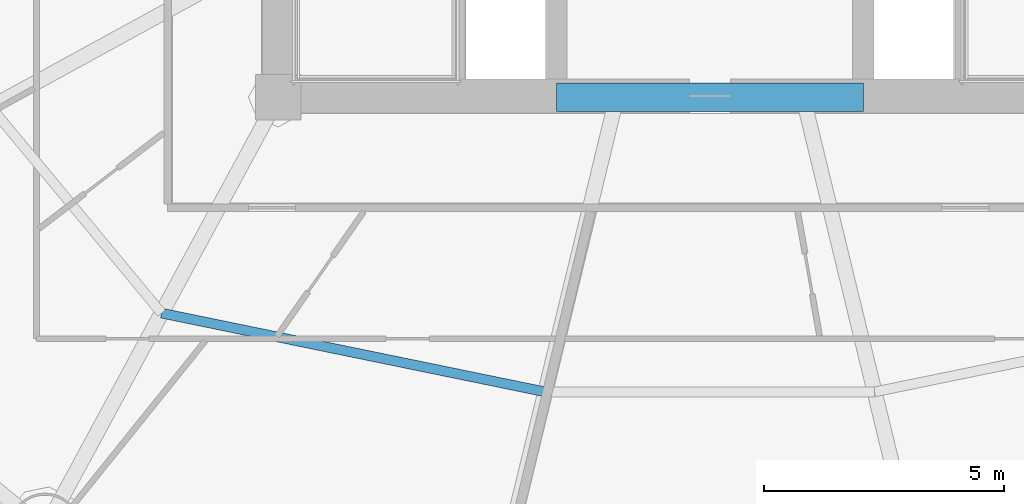
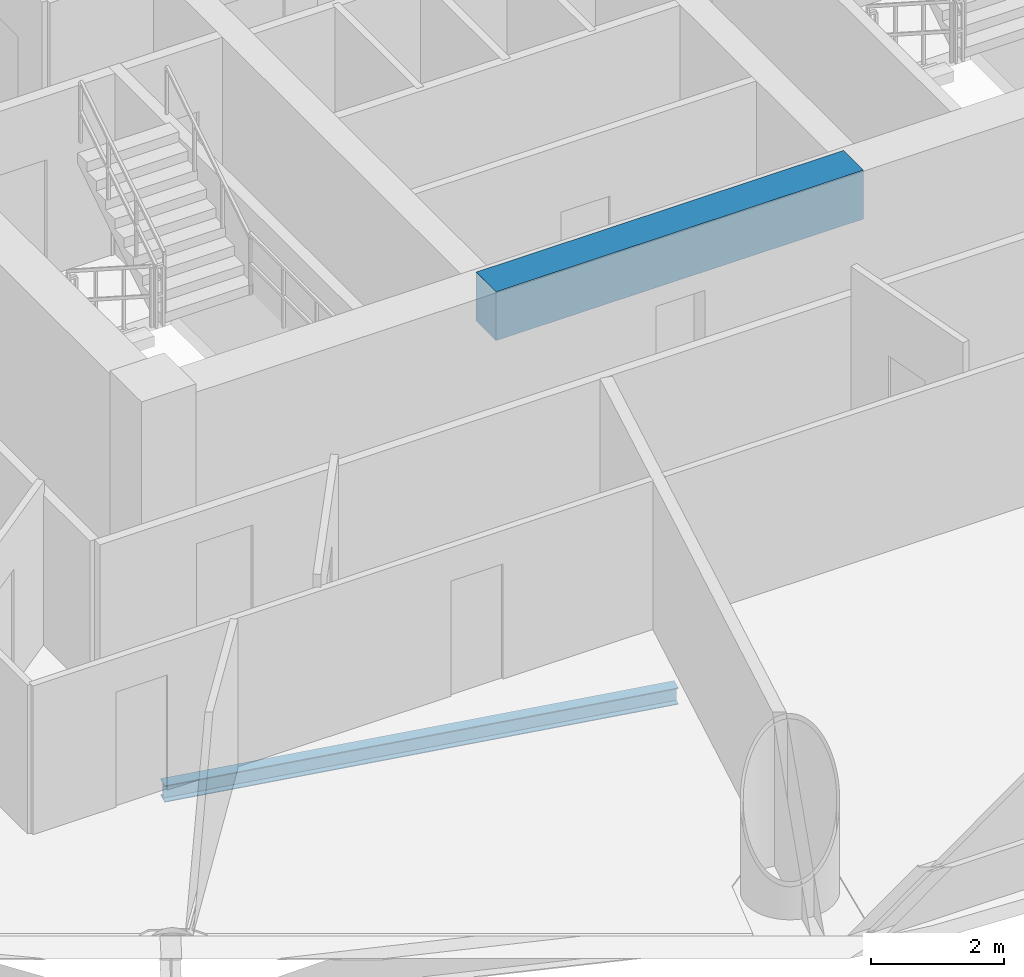
# One storey, part 6 of 29: 2 beams.
"""IFC4 building model written with IfcOpenShell, lengths in metres."""

from ifc_helpers import new_model, si_unit, direction, frame, origin, origin_2d, place, context, subcontext, project, spatial, rectangle, i_section, extrude, material, material_profile, profile_set, type_object, element, save


model = new_model("IFC4")

# Units and contexts
model_context = context("Model", 3, precision=1e-05, world=origin(), true_north=direction((-0.2419218956, 0.970295726276)))
body_context = subcontext(model_context, "Body", "Model", "MODEL_VIEW")
ifc_project = project(units=[si_unit("LENGTHUNIT", "METRE"), si_unit("AREAUNIT", "SQUARE_METRE"), si_unit("VOLUMEUNIT", "CUBIC_METRE"), si_unit("PLANEANGLEUNIT", "RADIAN"), si_unit("MASSUNIT", "GRAM", prefix="KILO")], contexts=[model_context])

# Site, building, storey
site_placement = place(None, origin())
site = spatial("IfcSite", under=ifc_project, at=site_placement, CompositionType="ELEMENT")
building_placement = place(site_placement, origin())
building = spatial("IfcBuilding", under=site, at=building_placement, Name="Cobrevalo Terracotta Tower", CompositionType="ELEMENT")
storey_placement = place(building_placement, frame((0.0, 0.0, 90.60009765625)))
storey = spatial("IfcBuildingStorey", under=building, at=storey_placement, Name="L23", CompositionType="ELEMENT", Elevation=90.60009765625)

# Beams
ifc_material_1 = material(Name="Concrete C60", Category="concrete")
ifc_material_profile_1 = material_profile(ifc_material_1, rectangle(XDim=0.60009765625, YDim=0.89990234375, at=origin_2d()), Name="RC CB 600x900")
ifc_profile_set_1 = profile_set([ifc_material_profile_1], Name="Concrete C60")
beam_type_1 = type_object("IfcBeamType", Name="Structural Beam RC CB 600x900 (Concrete C60)", PredefinedType="BEAM", material=ifc_profile_set_1)
beam_1_placement = place(storey_placement, frame((34.800048828125, 18.800048828125, 2.875), z_axis=(1.0, 0.0, 0.0), x_axis=(0.0, 1.0, 0.0)))
element("IfcBeam", 1, at=beam_1_placement, inside=storey, type_object=beam_type_1, Name="L23 core coupling beam 1", PredefinedType="BEAM", context=body_context, shape_type="SweptSolid", body=[
    extrude(rectangle(XDim=0.60009765625, YDim=0.89990234375, at=origin_2d()), origin(), (0.0, 0.0, 1.0), 6.39990234375),
])
ifc_material_2 = material(Name="Steel S355", Category="steel")
ifc_material_profile_2 = material_profile(ifc_material_2, i_section(OverallWidth=0.2041015625, OverallDepth=0.305908203125, WebThickness=0.008544921875, FlangeThickness=0.0146484375, at=origin_2d()), Name="W 310x67")
ifc_profile_set_2 = profile_set([ifc_material_profile_2], Name="Steel S355")
beam_type_2 = type_object("IfcBeamType", Name="Structural Joist W 310x67 (Steel S355)", PredefinedType="JOIST", material=ifc_profile_set_2)
beam_2_placement = place(storey_placement, frame((26.5693359375, 14.29833984375, -0.427978515625), z_axis=(0.979574469315, -0.201081722357, 0.0), x_axis=(0.201081722357, 0.979574469315, 0.0)))
element("IfcBeam", 2, at=beam_2_placement, inside=storey, type_object=beam_type_2, Name="L23 circumferential secondary floor joist 11", PredefinedType="JOIST", context=body_context, shape_type="SweptSolid", body=[
    extrude(i_section(OverallWidth=0.2041015625, OverallDepth=0.305908203125, WebThickness=0.008544921875, FlangeThickness=0.0146484375, at=origin_2d()), origin(), (0.0, 0.0, 1.0), 8.1650390625),
])

save(model, "model.ifc")
